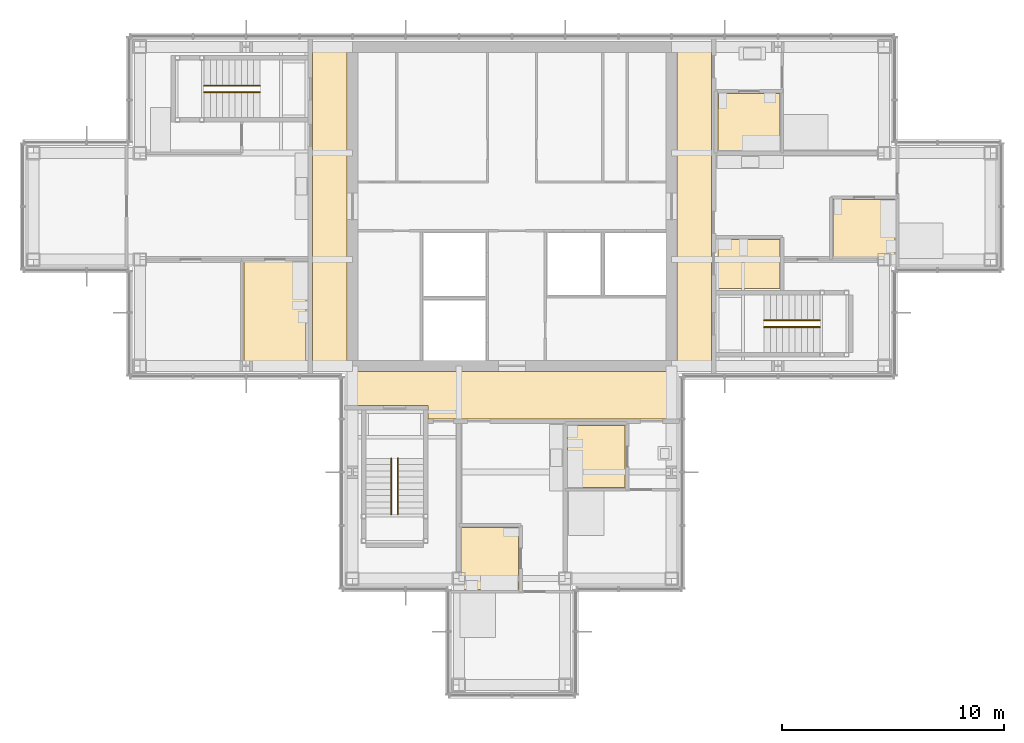
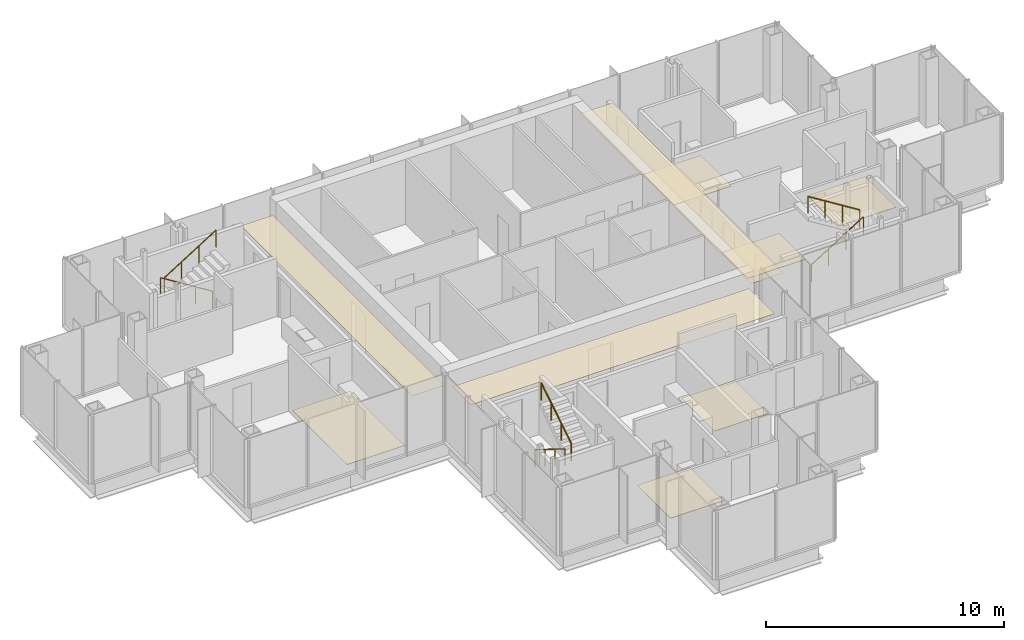
# One storey, part 13 of 15: 9 coverings, 6 railings.
"""IFC4 building model written with IfcOpenShell, lengths in metres."""

import ifcopenshell
import ifcopenshell.guid

model = None  # the IFC model being written
_history = None  # IfcOwnerHistory: only IFC2X3 demands one
_inside = {}  # id of a spatial element -> (the spatial element, [elements in it])
_under = {}  # id of a project, library or spatial element -> (it, [spatial elements below it])
_declared = {}  # id of a project -> (the project, [libraries it declares])
_typed = {}  # id of a type object -> (the type object, [elements of that type])
_made_of = {}  # id of a material, layer set ... -> (it, [elements and type objects made of it])


def new_model(schema):
    """Start an empty IFC model of exactly this schema.

    Asked for "IFC4X3", IfcOpenShell would pick the latest addendum, in which some entities
    have other attributes; the version numbers below select the first issue.
    IFC2X3 requires an IfcOwnerHistory on every rooted entity: one is made here for all.
    """
    global model, _history
    if schema == "IFC4X3":
        model = ifcopenshell.file(schema_version=(4, 3, 0, 0))
    else:
        model = ifcopenshell.file(schema=schema)
    _inside.clear()
    _under.clear()
    _declared.clear()
    _typed.clear()
    _made_of.clear()
    _history = None
    if model.schema == "IFC2X3":
        org = make("IfcOrganization", Name="unknown")
        user = make(
            "IfcPersonAndOrganization",
            ThePerson=make("IfcPerson", FamilyName="unknown"),
            TheOrganization=org,
        )
        app = make(
            "IfcApplication",
            ApplicationDeveloper=org,
            Version="unknown",
            ApplicationFullName="unknown",
            ApplicationIdentifier="unknown",
        )
        _history = make(
            "IfcOwnerHistory",
            OwningUser=user,
            OwningApplication=app,
            ChangeAction="ADDED",
            CreationDate=0,
        )
    return model


def make(cls, **values):
    """One entity of the class cls with the attributes given. An attribute that is None is left unset."""
    return model.create_entity(
        cls, **{name: value for name, value in values.items() if value is not None}
    )


def rooted(cls, **values):
    """An entity with a GlobalId (a new one), such as an element, a storey or a relation."""
    return make(cls, GlobalId=ifcopenshell.guid.new(), OwnerHistory=_history, **values)


def si_unit(unit_type, name, prefix=None):
    """IfcSIUnit, for example si_unit("LENGTHUNIT", "METRE", prefix="MILLI")."""
    return make("IfcSIUnit", UnitType=unit_type, Prefix=prefix, Name=name)


def assignment(units):
    """IfcUnitAssignment: the units of a project."""
    return None if units is None else make("IfcUnitAssignment", Units=units)


def point(xyz):
    """IfcCartesianPoint."""
    return None if xyz is None else make("IfcCartesianPoint", Coordinates=xyz)


def direction(xyz):
    """IfcDirection."""
    return None if xyz is None else make("IfcDirection", DirectionRatios=xyz)


def frame(location, z_axis=None, x_axis=None):
    """IfcAxis2Placement3D, a coordinate frame: its origin and axes. An axis left out is left unset."""
    return make(
        "IfcAxis2Placement3D",
        Location=point(location),
        Axis=direction(z_axis),
        RefDirection=direction(x_axis),
    )


def frame_2d(location, x_axis=None):
    """IfcAxis2Placement2D, a coordinate frame in the plane: its origin and x axis."""
    return make(
        "IfcAxis2Placement2D", Location=point(location), RefDirection=direction(x_axis)
    )


def origin():
    """The frame at (0, 0, 0) with its axes left unset."""
    return frame((0.0, 0.0, 0.0))


def origin_2d():
    """The frame at (0, 0) in the plane with its x axis left unset."""
    return frame_2d((0.0, 0.0))


def place(relative_to, where):
    """IfcLocalPlacement: puts the frame where relative to a parent placement (None: the world)."""
    return make(
        "IfcLocalPlacement", PlacementRelTo=relative_to, RelativePlacement=where
    )


def context(
    kind, dimensions, precision=None, world=None, true_north=None, identifier=None
):
    """IfcGeometricRepresentationContext, for example the 3D "Model" context."""
    return make(
        "IfcGeometricRepresentationContext",
        ContextIdentifier=identifier,
        ContextType=kind,
        CoordinateSpaceDimension=dimensions,
        Precision=precision,
        WorldCoordinateSystem=world,
        TrueNorth=true_north,
    )


def subcontext(parent, identifier, kind, view, scale=None):
    """IfcGeometricRepresentationSubContext, for example "Body" below "Model"."""
    return make(
        "IfcGeometricRepresentationSubContext",
        ContextIdentifier=identifier,
        ContextType=kind,
        ParentContext=parent,
        TargetScale=scale,
        TargetView=view,
    )


def project(units=None, contexts=None):
    """IfcProject with its units and contexts."""
    return rooted(
        "IfcProject",
        Name="project",
        RepresentationContexts=contexts,
        UnitsInContext=assignment(units),
    )


def spatial(cls, under=None, at=None, **own):
    """A site, building, storey or space (cls), placed at a placement, below another one or the project."""
    s = rooted(cls, ObjectPlacement=at, **own)
    if under is not None:
        _under.setdefault(under.id(), (under, []))[1].append(s)
    return s


def polyline(points):
    """IfcPolyline through the points."""
    return make("IfcPolyline", Points=[point(p) for p in points])


def profile(cls, at=None, kind="AREA", **sizes):
    """A parametric profile (cls). Its sizes go by their IFC names, for example OverallWidth=200.0."""
    return make(cls, ProfileType=kind, Position=at, **sizes)


def circle(**sizes):
    """IfcCircleProfileDef."""
    return profile("IfcCircleProfileDef", **sizes)


def outline(outer, holes=None, kind="AREA"):
    """IfcArbitraryClosedProfileDef: a profile drawn as a closed curve; with holes, ...WithVoids."""
    if holes is None:
        return make("IfcArbitraryClosedProfileDef", ProfileType=kind, OuterCurve=outer)
    return make(
        "IfcArbitraryProfileDefWithVoids",
        ProfileType=kind,
        OuterCurve=outer,
        InnerCurves=holes,
    )


def extrude(swept, where, along, depth):
    """IfcExtrudedAreaSolid: the profile swept, set in the frame where, extruded along a direction by depth."""
    return make(
        "IfcExtrudedAreaSolid",
        SweptArea=swept,
        Position=where,
        ExtrudedDirection=direction(along),
        Depth=depth,
    )


def shape(context_of_items, identifier, shape_type, items):
    """IfcShapeRepresentation: the items that make up one representation, for example the "Body"."""
    return make(
        "IfcShapeRepresentation",
        ContextOfItems=context_of_items,
        RepresentationIdentifier=identifier,
        RepresentationType=shape_type,
        Items=items,
    )


def material(Name=None, Category=None):
    """IfcMaterial."""
    return make("IfcMaterial", Name=Name, Category=Category)


def layer(
    of_material, thickness, ventilated=None, Name=None, Category=None, Priority=None
):
    """IfcMaterialLayer: one layer of a wall or slab, of a material (None: an air gap)."""
    return make(
        "IfcMaterialLayer",
        Material=of_material,
        LayerThickness=thickness,
        IsVentilated=ventilated,
        Name=Name,
        Category=Category,
        Priority=Priority,
    )


def layer_set(layers, Name=None):
    """IfcMaterialLayerSet."""
    return make("IfcMaterialLayerSet", MaterialLayers=layers, LayerSetName=Name)


def made_of(thing, what):
    """Note that an element or type object is made of a material, layer set ...; save() writes the relation."""
    if what is not None:
        _made_of.setdefault(what.id(), (what, []))[1].append(thing)
    return thing


def type_object(cls, material=None, **own):
    """A type object (cls), such as IfcWallType, which elements share."""
    return made_of(rooted(cls, **own), material)


def element(
    cls,
    number,
    at=None,
    inside=None,
    cuts=None,
    type_object=None,
    material=None,
    context=None,
    identifier="Body",
    shape_type=None,
    held_by="IfcProductDefinitionShape",
    body=None,
    shapes=None,
    **own,
):
    """One element of the class cls, such as IfcWall. Its Tag is "e" and its number.

    at: its placement. inside: the storey or other place that contains it. cuts: it is an
    opening in that element (IfcRelVoidsElement). A single representation is given by context,
    identifier, shape_type and body (its items); several are given by shapes. held_by: the class
    of the entity that holds the representations. save() writes the other relations.
    """
    e = rooted(cls, Tag="e%d" % number, ObjectPlacement=at, **own)
    if body is not None:
        shapes = [shape(context, identifier, shape_type, body)]
    if shapes is not None:
        e.Representation = make(held_by, Representations=shapes)
    if inside is not None:
        _inside.setdefault(inside.id(), (inside, []))[1].append(e)
    if cuts is not None:
        rooted(
            "IfcRelVoidsElement", RelatingBuildingElement=cuts, RelatedOpeningElement=e
        )
    if type_object is not None:
        _typed.setdefault(type_object.id(), (type_object, []))[1].append(e)
    return made_of(e, material)


def aggregate(whole, parts):
    """IfcRelAggregates: a whole, such as a stair, and the parts it consists of."""
    return rooted("IfcRelAggregates", RelatingObject=whole, RelatedObjects=parts)


def save(model, path):
    """Write the relations noted so far, then the file.

    IfcRelAggregates (storeys below a building ...), IfcRelContainedInSpatialStructure (elements
    in a storey), IfcRelDefinesByType, IfcRelAssociatesMaterial and IfcRelDeclares: one each for
    every whole, place, type object, material and project.
    """
    for whole, parts in _under.values():
        aggregate(whole, parts)
    for where, things in _inside.values():
        rooted(
            "IfcRelContainedInSpatialStructure",
            RelatedElements=things,
            RelatingStructure=where,
        )
    for kind, things in _typed.values():
        rooted("IfcRelDefinesByType", RelatedObjects=things, RelatingType=kind)
    for what, things in _made_of.values():
        rooted("IfcRelAssociatesMaterial", RelatedObjects=things, RelatingMaterial=what)
    for by, libraries in _declared.values():
        rooted("IfcRelDeclares", RelatingContext=by, RelatedDefinitions=libraries)
    model.write(path)


model = new_model("IFC4")

# Units and contexts
model_context = context("Model", 3, precision=1e-05, world=origin(), true_north=direction((0.0, 1.0)))
body_context = subcontext(model_context, "Body", "Model", "MODEL_VIEW")
ifc_project = project(units=[si_unit("LENGTHUNIT", "METRE"), si_unit("AREAUNIT", "SQUARE_METRE"), si_unit("VOLUMEUNIT", "CUBIC_METRE"), si_unit("PLANEANGLEUNIT", "RADIAN"), si_unit("MASSUNIT", "GRAM", prefix="KILO")], contexts=[model_context])

# Site, building, storey
site_placement = place(None, origin())
site = spatial("IfcSite", under=ifc_project, at=site_placement, CompositionType="ELEMENT")
building_placement = place(site_placement, origin())
building = spatial("IfcBuilding", under=site, at=building_placement, Name="Kvirike Care Tower", CompositionType="ELEMENT")
storey_placement = place(building_placement, frame((0.0, 0.0, 215.5)))
storey = spatial("IfcBuildingStorey", under=building, at=storey_placement, Name="L59", CompositionType="ELEMENT", Elevation=215.5)

# Coverings
ifc_material_1 = material(Name="Perforated metal ceiling tile", Category="aluminium")
ifc_layer_1 = layer(ifc_material_1, 0.014892578125)
ifc_layer_set_1 = layer_set([ifc_layer_1], Name="CORRIDOR CEILING 15")
covering_type_1 = type_object("IfcCoveringType", Name="CORRIDOR CEILING 15", PredefinedType="CEILING", material=ifc_layer_set_1)
covering_1_placement = place(storey_placement, frame((0.0, 0.0, 2.5)))
element("IfcCovering", 1, at=covering_1_placement, inside=storey, type_object=covering_type_1, Name="Corridor ceiling L59", PredefinedType="CEILING", context=body_context, shape_type="SweptSolid", body=[
    extrude(outline(polyline([(12.60009765625, 43.199951171875), (14.14990234375, 43.199951171875), (14.14990234375, 28.800048828125), (12.60009765625, 28.800048828125), (12.60009765625, 43.199951171875)])), origin(), (0.0, 0.0, 1.0), 0.014892578125),
])
covering_2_placement = place(storey_placement, frame((0.0, 0.0, 2.5)))
element("IfcCovering", 2, at=covering_2_placement, inside=storey, type_object=covering_type_1, Name="Corridor ceiling L59", PredefinedType="CEILING", context=body_context, shape_type="SweptSolid", body=[
    extrude(outline(polyline([(14.39990234375, 28.550048828125), (28.800048828125, 28.550048828125), (28.800048828125, 26.39990234375), (17.800048828125, 26.39990234375), (17.800048828125, 27.0), (14.39990234375, 27.0), (14.39990234375, 28.550048828125)])), origin(), (0.0, 0.0, 1.0), 0.014892578125),
])
covering_3_placement = place(storey_placement, frame((0.0, 0.0, 2.5)))
element("IfcCovering", 3, at=covering_3_placement, inside=storey, type_object=covering_type_1, Name="Corridor ceiling L59", PredefinedType="CEILING", context=body_context, shape_type="SweptSolid", body=[
    extrude(outline(polyline([(30.60009765625, 28.800048828125), (29.050048828125, 28.800048828125), (29.050048828125, 43.199951171875), (30.60009765625, 43.199951171875), (30.60009765625, 28.800048828125)])), origin(), (0.0, 0.0, 1.0), 0.014892578125),
])

# Railings
ifc_material_2 = material(Name="Stainless steel handrail", Category="steel")
railing_type = type_object("IfcRailingType", Name="STAIR HANDRAIL 900", PredefinedType="HANDRAIL", material=ifc_material_2)
railing_1_placement = place(storey_placement, frame((10.219970703125, 41.449951171875, 0.175048828125)))
element("IfcRailing", 4, at=railing_1_placement, inside=storey, type_object=railing_type, Name="Stair 1 handrail L59 flight 1", PredefinedType="HANDRAIL", context=body_context, shape_type="SweptSolid", body=[
    extrude(circle(Radius=0.02490234375, at=origin_2d()), frame((0.0, 0.0, 0.875), z_axis=(-0.848007534815, 0.0, 0.529984170421), x_axis=(0.0, -1.0, 0.0)), (0.0, 0.0, 1.0), 2.9716796875),
    extrude(circle(Radius=0.02001953125, at=origin_2d()), origin(), (0.0, 0.0, 1.0), 0.849853515625),
    extrude(circle(Radius=0.02001953125, at=origin_2d()), frame((-0.840087890625, 0.0, 0.52490234375)), (0.0, 0.0, 1.0), 0.849853515625),
    extrude(circle(Radius=0.02001953125, at=origin_2d()), frame((-1.679931640625, 0.0, 1.050048828125)), (0.0, 0.0, 1.0), 0.849853515625),
    extrude(circle(Radius=0.02001953125, at=origin_2d()), frame((-2.52001953125, 0.0, 1.574951171875)), (0.0, 0.0, 1.0), 0.849853515625),
])
for number, where, name in (
    (5, (7.699951171875, 41.14990234375, 1.925048828125), "Stair 1 handrail L59 flight 2"),
    (6, (32.97998046875, 30.550048828125, 0.175048828125), "Stair 2 handrail L59 flight 1"),
):
    element("IfcRailing", number, at=place(storey_placement, frame(where)), inside=storey, type_object=railing_type, Name=name, PredefinedType="HANDRAIL", context=body_context, shape_type="SweptSolid", body=[
        extrude(circle(Radius=0.02490234375, at=origin_2d()), frame((0.0, 0.0, 0.875), z_axis=(0.848007534815, 0.0, 0.529984170421), x_axis=(0.0, 1.0, 0.0)), (0.0, 0.0, 1.0), 2.9716796875),
        extrude(circle(Radius=0.02001953125, at=origin_2d()), origin(), (0.0, 0.0, 1.0), 0.849853515625),
        extrude(circle(Radius=0.02001953125, at=origin_2d()), frame((0.840087890625, 0.0, 0.52490234375)), (0.0, 0.0, 1.0), 0.849853515625),
        extrude(circle(Radius=0.02001953125, at=origin_2d()), frame((1.679931640625, 0.0, 1.050048828125)), (0.0, 0.0, 1.0), 0.849853515625),
        extrude(circle(Radius=0.02001953125, at=origin_2d()), frame((2.52001953125, 0.0, 1.574951171875)), (0.0, 0.0, 1.0), 0.849853515625),
    ])
railing_2_placement = place(storey_placement, frame((35.5, 30.85009765625, 1.925048828125)))
element("IfcRailing", 7, at=railing_2_placement, inside=storey, type_object=railing_type, Name="Stair 2 handrail L59 flight 2", PredefinedType="HANDRAIL", context=body_context, shape_type="SweptSolid", body=[
    extrude(circle(Radius=0.02490234375, at=origin_2d()), frame((0.0, 0.0, 0.875), z_axis=(-0.848007534815, 0.0, 0.529984170421), x_axis=(0.0, -1.0, 0.0)), (0.0, 0.0, 1.0), 2.9716796875),
    extrude(circle(Radius=0.02001953125, at=origin_2d()), origin(), (0.0, 0.0, 1.0), 0.849853515625),
    extrude(circle(Radius=0.02001953125, at=origin_2d()), frame((-0.840087890625, 0.0, 0.52490234375)), (0.0, 0.0, 1.0), 0.849853515625),
    extrude(circle(Radius=0.02001953125, at=origin_2d()), frame((-1.679931640625, 0.0, 1.050048828125)), (0.0, 0.0, 1.0), 0.849853515625),
    extrude(circle(Radius=0.02001953125, at=origin_2d()), frame((-2.52001953125, 0.0, 1.574951171875)), (0.0, 0.0, 1.0), 0.849853515625),
])
railing_3_placement = place(storey_placement, frame((16.14990234375, 24.6201171875, 0.175048828125)))
element("IfcRailing", 8, at=railing_3_placement, inside=storey, type_object=railing_type, Name="Stair 5 handrail L59 flight 1", PredefinedType="HANDRAIL", context=body_context, shape_type="SweptSolid", body=[
    extrude(circle(Radius=0.02490234375, at=origin_2d()), frame((0.0, 0.0, 0.875), z_axis=(0.0, -0.848007534815, 0.529984170421), x_axis=(1.0, 0.0, 0.0)), (0.0, 0.0, 1.0), 2.9716796875),
    extrude(circle(Radius=0.02001953125, at=origin_2d()), origin(), (0.0, 0.0, 1.0), 0.849853515625),
    extrude(circle(Radius=0.02001953125, at=origin_2d()), frame((0.0, -0.840087890625, 0.52490234375)), (0.0, 0.0, 1.0), 0.849853515625),
    extrude(circle(Radius=0.02001953125, at=origin_2d()), frame((0.0, -1.679931640625, 1.050048828125)), (0.0, 0.0, 1.0), 0.849853515625),
    extrude(circle(Radius=0.02001953125, at=origin_2d()), frame((0.0, -2.52001953125, 1.574951171875)), (0.0, 0.0, 1.0), 0.849853515625),
])
railing_4_placement = place(storey_placement, frame((16.449951171875, 22.10009765625, 1.925048828125)))
element("IfcRailing", 9, at=railing_4_placement, inside=storey, type_object=railing_type, Name="Stair 5 handrail L59 flight 2", PredefinedType="HANDRAIL", context=body_context, shape_type="SweptSolid", body=[
    extrude(circle(Radius=0.02490234375, at=origin_2d()), frame((0.0, 0.0, 0.875), z_axis=(0.0, 0.848007534815, 0.529984170421), x_axis=(-1.0, 0.0, 0.0)), (0.0, 0.0, 1.0), 2.9716796875),
    extrude(circle(Radius=0.02001953125, at=origin_2d()), origin(), (0.0, 0.0, 1.0), 0.849853515625),
    extrude(circle(Radius=0.02001953125, at=origin_2d()), frame((0.0, 0.840087890625, 0.52490234375)), (0.0, 0.0, 1.0), 0.849853515625),
    extrude(circle(Radius=0.02001953125, at=origin_2d()), frame((0.0, 1.679931640625, 1.050048828125)), (0.0, 0.0, 1.0), 0.849853515625),
    extrude(circle(Radius=0.02001953125, at=origin_2d()), frame((0.0, 2.52001953125, 1.574951171875)), (0.0, 0.0, 1.0), 0.849853515625),
])

# Coverings
ifc_material_3 = material(Name="Slip-resistant vinyl safety flooring on screed")
ifc_layer_2 = layer(ifc_material_3, 0.02001953125)
ifc_layer_set_2 = layer_set([ifc_layer_2], Name="WET ROOM FLOOR 20")
covering_type_2 = type_object("IfcCoveringType", Name="WET ROOM FLOOR 20", PredefinedType="FLOORING", material=ifc_layer_set_2)
covering_4_placement = place(storey_placement, origin())
element("IfcCovering", 10, at=covering_4_placement, inside=storey, type_object=covering_type_2, Name="Bathroom floor L59-006", PredefinedType="FLOORING", context=body_context, shape_type="SweptSolid", body=[
    extrude(outline(polyline([(9.5, 33.5), (12.300048828125, 33.5), (12.300048828125, 28.89990234375), (9.5, 28.89990234375), (9.5, 33.5)])), origin(), (0.0, 0.0, 1.0), 0.02001953125),
])
covering_5_placement = place(storey_placement, origin())
element("IfcCovering", 11, at=covering_5_placement, inside=storey, type_object=covering_type_2, Name="Bathroom floor L59-012", PredefinedType="FLOORING", context=body_context, shape_type="SweptSolid", body=[
    extrude(outline(polyline([(19.300048828125, 18.699951171875), (19.300048828125, 21.5), (21.89990234375, 21.5), (21.89990234375, 18.699951171875), (19.300048828125, 18.699951171875)])), origin(), (0.0, 0.0, 1.0), 0.02001953125),
])
covering_6_placement = place(storey_placement, origin())
element("IfcCovering", 12, at=covering_6_placement, inside=storey, type_object=covering_type_2, Name="Bathroom floor L59-015", PredefinedType="FLOORING", context=body_context, shape_type="SweptSolid", body=[
    extrude(outline(polyline([(24.10009765625, 23.300048828125), (24.10009765625, 26.10009765625), (26.699951171875, 26.10009765625), (26.699951171875, 23.300048828125), (24.10009765625, 23.300048828125)])), origin(), (0.0, 0.0, 1.0), 0.02001953125),
])
covering_7_placement = place(storey_placement, origin())
element("IfcCovering", 13, at=covering_7_placement, inside=storey, type_object=covering_type_2, Name="Accessible WC floor L59-021", PredefinedType="FLOORING", context=body_context, shape_type="SweptSolid", body=[
    extrude(outline(polyline([(33.699951171875, 32.300048828125), (30.89990234375, 32.300048828125), (30.89990234375, 34.5), (33.699951171875, 34.5), (33.699951171875, 32.300048828125)])), origin(), (0.0, 0.0, 1.0), 0.02001953125),
])
covering_8_placement = place(storey_placement, origin())
element("IfcCovering", 14, at=covering_8_placement, inside=storey, type_object=covering_type_2, Name="Bathroom floor L59-022", PredefinedType="FLOORING", context=body_context, shape_type="SweptSolid", body=[
    extrude(outline(polyline([(38.89990234375, 33.699951171875), (36.10009765625, 33.699951171875), (36.10009765625, 36.300048828125), (38.89990234375, 36.300048828125), (38.89990234375, 33.699951171875)])), origin(), (0.0, 0.0, 1.0), 0.02001953125),
])
covering_9_placement = place(storey_placement, origin())
element("IfcCovering", 15, at=covering_9_placement, inside=storey, type_object=covering_type_2, Name="Bathroom floor L59-025", PredefinedType="FLOORING", context=body_context, shape_type="SweptSolid", body=[
    extrude(outline(polyline([(33.699951171875, 38.5), (30.89990234375, 38.5), (30.89990234375, 41.10009765625), (33.699951171875, 41.10009765625), (33.699951171875, 38.5)])), origin(), (0.0, 0.0, 1.0), 0.02001953125),
])

save(model, "model.ifc")
